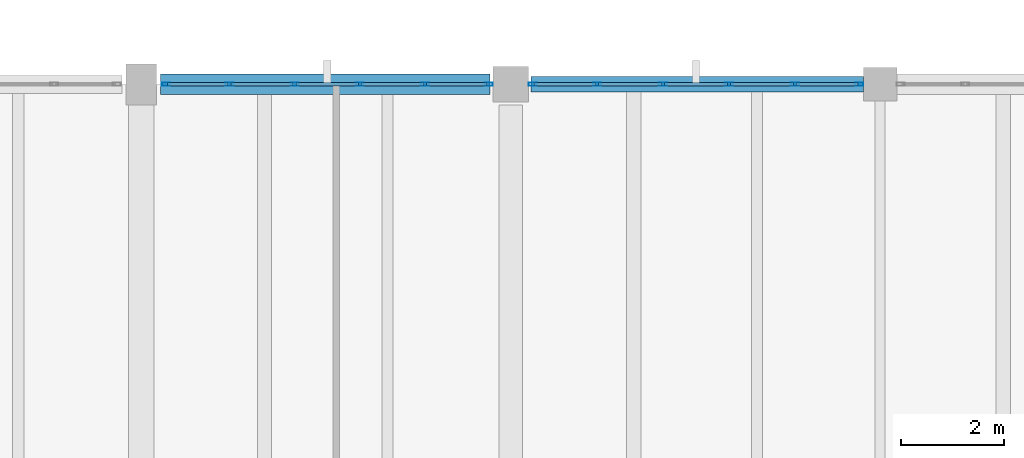
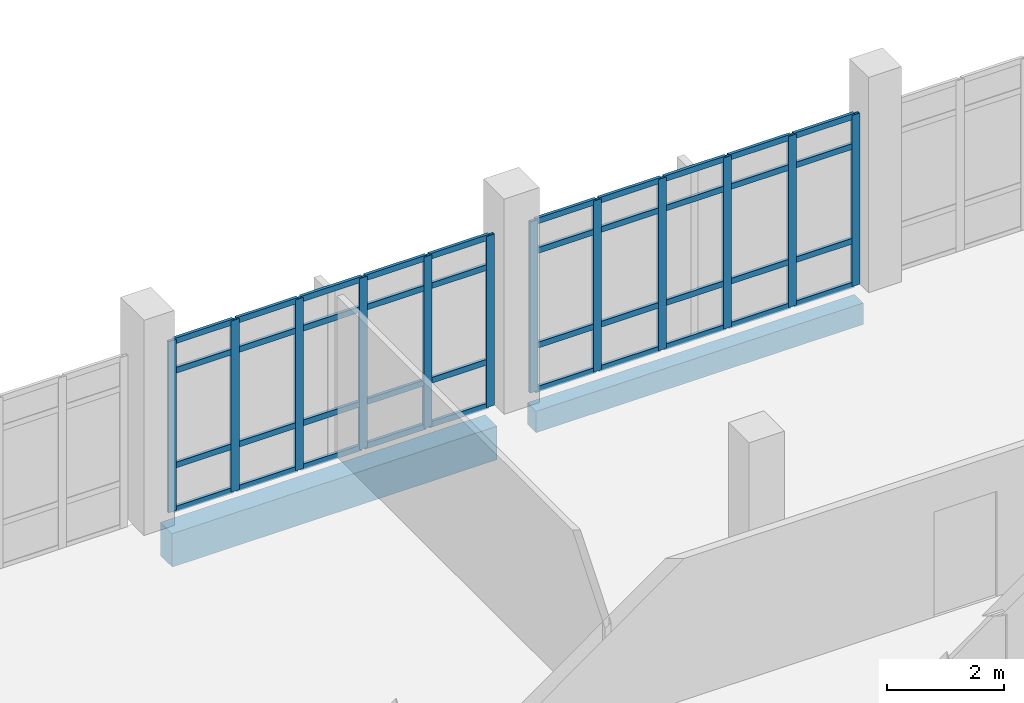
# One storey, part 75 of 116: 52 members, 2 beams, 2 elements without a shape of their own.
"""IFC4 building model written with IfcOpenShell, lengths in metres."""

from ifc_helpers import new_model, si_unit, direction, frame, origin, origin_2d, place, context, subcontext, project, spatial, rectangle, hollow_rectangle, extrude, material, material_profile, profile_set, type_object, element, aggregate, save


model = new_model("IFC4")

# Units and contexts
model_context = context("Model", 3, precision=1e-05, world=origin(), true_north=direction((0.0, 1.0)))
body_context = subcontext(model_context, "Body", "Model", "MODEL_VIEW")
ifc_project = project(units=[si_unit("LENGTHUNIT", "METRE"), si_unit("AREAUNIT", "SQUARE_METRE"), si_unit("VOLUMEUNIT", "CUBIC_METRE"), si_unit("PLANEANGLEUNIT", "RADIAN"), si_unit("MASSUNIT", "GRAM", prefix="KILO")], contexts=[model_context])

# Site, building, storey
site_placement = place(None, origin())
site = spatial("IfcSite", under=ifc_project, at=site_placement, CompositionType="ELEMENT")
building_placement = place(site_placement, origin())
building = spatial("IfcBuilding", under=site, at=building_placement, Name="Kalluvel Institute of Natural Sciences", CompositionType="ELEMENT")
storey_placement = place(building_placement, frame((0.0, 0.0, 14.39990234375)))
storey = spatial("IfcBuildingStorey", under=building, at=storey_placement, Name="L03", CompositionType="ELEMENT", Elevation=14.39990234375)

# Curtain wall, members
ifc_material_1 = material(Name="Aluminium AW-6063 T6", Category="aluminium")
curtain_wall_type = type_object("IfcCurtainWallType", Name="CW-WET-45", PredefinedType="USERDEFINED", material=ifc_material_1)
curtain_wall_1_placement = place(storey_placement, origin())
curtain_wall_1 = element("IfcCurtainWall", 1, at=curtain_wall_1_placement, inside=storey, type_object=curtain_wall_type, Name="L03 Gothic lancet curtain wall CWA-L03-X936-Y1280", ObjectType="UNITISED LANCET FACADE", PredefinedType="USERDEFINED")
ifc_material_profile_1 = material_profile(ifc_material_1, hollow_rectangle(XDim=0.06005859375, YDim=0.159912109375, WallThickness=0.00390625, at=origin_2d()), Name="CWM 60x160")
ifc_profile_set_1 = profile_set([ifc_material_profile_1], Name="Aluminium AW-6063 T6")
member_type_1 = type_object("IfcMemberType", Name="CWM-60x160", PredefinedType="MULLION", material=ifc_profile_set_1)
member_1_placement = place(storey_placement, frame((93.679931640625, 128.0, 0.0), z_axis=(0.0, 0.0, 1.0), x_axis=(0.0, 1.0, 0.0)))
member_1 = element("IfcMember", 2, at=member_1_placement, type_object=member_type_1, Name="CW-01 mullion 1", PredefinedType="MULLION", context=body_context, shape_type="SweptSolid", body=[
    extrude(hollow_rectangle(XDim=0.06005859375, YDim=0.159912109375, WallThickness=0.00390625, at=origin_2d()), origin(), (0.0, 0.0, 1.0), 3.580078125),
])
member_2_placement = place(storey_placement, frame((94.919921875, 128.0, 0.0), z_axis=(0.0, 0.0, 1.0), x_axis=(0.0, 1.0, 0.0)))
member_2 = element("IfcMember", 3, at=member_2_placement, type_object=member_type_1, Name="CW-01 mullion 2", PredefinedType="MULLION", context=body_context, shape_type="SweptSolid", body=[
    extrude(hollow_rectangle(XDim=0.06005859375, YDim=0.159912109375, WallThickness=0.00390625, at=origin_2d()), origin(), (0.0, 0.0, 1.0), 3.580078125),
])
member_3_placement = place(storey_placement, frame((96.18994140625, 128.0, 0.0), z_axis=(0.0, 0.0, 1.0), x_axis=(0.0, 1.0, 0.0)))
member_3 = element("IfcMember", 4, at=member_3_placement, type_object=member_type_1, Name="CW-01 mullion 3", PredefinedType="MULLION", context=body_context, shape_type="SweptSolid", body=[
    extrude(hollow_rectangle(XDim=0.06005859375, YDim=0.159912109375, WallThickness=0.00390625, at=origin_2d()), origin(), (0.0, 0.0, 1.0), 3.580078125),
])
member_4_placement = place(storey_placement, frame((97.4599609375, 128.0, 0.0), z_axis=(0.0, 0.0, 1.0), x_axis=(0.0, 1.0, 0.0)))
member_4 = element("IfcMember", 5, at=member_4_placement, type_object=member_type_1, Name="CW-01 mullion 4", PredefinedType="MULLION", context=body_context, shape_type="SweptSolid", body=[
    extrude(hollow_rectangle(XDim=0.06005859375, YDim=0.159912109375, WallThickness=0.00390625, at=origin_2d()), origin(), (0.0, 0.0, 1.0), 3.580078125),
])
member_5_placement = place(storey_placement, frame((98.72998046875, 128.0, 0.0), z_axis=(0.0, 0.0, 1.0), x_axis=(0.0, 1.0, 0.0)))
member_5 = element("IfcMember", 6, at=member_5_placement, type_object=member_type_1, Name="CW-01 mullion 5", PredefinedType="MULLION", context=body_context, shape_type="SweptSolid", body=[
    extrude(hollow_rectangle(XDim=0.06005859375, YDim=0.159912109375, WallThickness=0.00390625, at=origin_2d()), origin(), (0.0, 0.0, 1.0), 3.580078125),
])
member_6_placement = place(storey_placement, frame((99.969970703125, 128.0, 0.0), z_axis=(0.0, 0.0, 1.0), x_axis=(0.0, 1.0, 0.0)))
member_6 = element("IfcMember", 7, at=member_6_placement, type_object=member_type_1, Name="CW-01 mullion 6", PredefinedType="MULLION", context=body_context, shape_type="SweptSolid", body=[
    extrude(hollow_rectangle(XDim=0.06005859375, YDim=0.159912109375, WallThickness=0.00390625, at=origin_2d()), origin(), (0.0, 0.0, 1.0), 3.580078125),
])

curtain_wall_2_placement = place(storey_placement, origin())
curtain_wall_2 = element("IfcCurtainWall", 8, at=curtain_wall_2_placement, inside=storey, type_object=curtain_wall_type, Name="L03 Gothic lancet curtain wall CWA-L03-X1008-Y1280", ObjectType="UNITISED LANCET FACADE", PredefinedType="USERDEFINED")
member_7_placement = place(storey_placement, frame((100.830078125, 128.0, 0.0), z_axis=(0.0, 0.0, 1.0), x_axis=(0.0, 1.0, 0.0)))
member_7 = element("IfcMember", 9, at=member_7_placement, type_object=member_type_1, Name="CW-01 mullion 1", PredefinedType="MULLION", context=body_context, shape_type="SweptSolid", body=[
    extrude(hollow_rectangle(XDim=0.06005859375, YDim=0.159912109375, WallThickness=0.00390625, at=origin_2d()), origin(), (0.0, 0.0, 1.0), 3.580078125),
])
member_8_placement = place(storey_placement, frame((102.0849609375, 128.0, 0.0), z_axis=(0.0, 0.0, 1.0), x_axis=(0.0, 1.0, 0.0)))
member_8 = element("IfcMember", 10, at=member_8_placement, type_object=member_type_1, Name="CW-01 mullion 2", PredefinedType="MULLION", context=body_context, shape_type="SweptSolid", body=[
    extrude(hollow_rectangle(XDim=0.06005859375, YDim=0.159912109375, WallThickness=0.00390625, at=origin_2d()), origin(), (0.0, 0.0, 1.0), 3.580078125),
])
member_9_placement = place(storey_placement, frame((103.3701171875, 128.0, 0.0), z_axis=(0.0, 0.0, 1.0), x_axis=(0.0, 1.0, 0.0)))
member_9 = element("IfcMember", 11, at=member_9_placement, type_object=member_type_1, Name="CW-01 mullion 3", PredefinedType="MULLION", context=body_context, shape_type="SweptSolid", body=[
    extrude(hollow_rectangle(XDim=0.06005859375, YDim=0.159912109375, WallThickness=0.00390625, at=origin_2d()), origin(), (0.0, 0.0, 1.0), 3.580078125),
])
member_10_placement = place(storey_placement, frame((104.655029296875, 128.0, 0.0), z_axis=(0.0, 0.0, 1.0), x_axis=(0.0, 1.0, 0.0)))
member_10 = element("IfcMember", 12, at=member_10_placement, type_object=member_type_1, Name="CW-01 mullion 4", PredefinedType="MULLION", context=body_context, shape_type="SweptSolid", body=[
    extrude(hollow_rectangle(XDim=0.06005859375, YDim=0.159912109375, WallThickness=0.00390625, at=origin_2d()), origin(), (0.0, 0.0, 1.0), 3.580078125),
])
member_11_placement = place(storey_placement, frame((105.93994140625, 128.0, 0.0), z_axis=(0.0, 0.0, 1.0), x_axis=(0.0, 1.0, 0.0)))
member_11 = element("IfcMember", 13, at=member_11_placement, type_object=member_type_1, Name="CW-01 mullion 5", PredefinedType="MULLION", context=body_context, shape_type="SweptSolid", body=[
    extrude(hollow_rectangle(XDim=0.06005859375, YDim=0.159912109375, WallThickness=0.00390625, at=origin_2d()), origin(), (0.0, 0.0, 1.0), 3.580078125),
])
member_12_placement = place(storey_placement, frame((107.195068359375, 128.0, 0.0), z_axis=(0.0, 0.0, 1.0), x_axis=(0.0, 1.0, 0.0)))
member_12 = element("IfcMember", 14, at=member_12_placement, type_object=member_type_1, Name="CW-01 mullion 6", PredefinedType="MULLION", context=body_context, shape_type="SweptSolid", body=[
    extrude(hollow_rectangle(XDim=0.06005859375, YDim=0.159912109375, WallThickness=0.00390625, at=origin_2d()), origin(), (0.0, 0.0, 1.0), 3.580078125),
])

# Member
ifc_material_profile_2 = material_profile(ifc_material_1, hollow_rectangle(XDim=0.06005859375, YDim=0.1201171875, WallThickness=0.00390625, at=origin_2d()), Name="CWT 60x120")
ifc_profile_set_2 = profile_set([ifc_material_profile_2], Name="Aluminium AW-6063 T6")
member_type_2 = type_object("IfcMemberType", Name="CWT-60x120", PredefinedType="USERDEFINED", material=ifc_profile_set_2)
member_13_placement = place(storey_placement, frame((93.7099609375, 128.0, 0.030029296875), z_axis=(1.0, 0.0, 0.0), x_axis=(0.0, 1.0, 0.0)))
member_13 = element("IfcMember", 15, at=member_13_placement, type_object=member_type_2, Name="CW-01 transom 1.1", ObjectType="TRANSOM", PredefinedType="USERDEFINED", context=body_context, shape_type="SweptSolid", body=[
    extrude(hollow_rectangle(XDim=0.06005859375, YDim=0.1201171875, WallThickness=0.00390625, at=origin_2d()), origin(), (0.0, 0.0, 1.0), 1.179931640625),
])

member_14_placement = place(storey_placement, frame((93.7099609375, 128.0, 0.9501953125), z_axis=(1.0, 0.0, 0.0), x_axis=(0.0, 1.0, 0.0)))
member_14 = element("IfcMember", 16, at=member_14_placement, type_object=member_type_2, Name="CW-01 transom 1.2", ObjectType="TRANSOM", PredefinedType="USERDEFINED", context=body_context, shape_type="SweptSolid", body=[
    extrude(hollow_rectangle(XDim=0.06005859375, YDim=0.1201171875, WallThickness=0.00390625, at=origin_2d()), origin(), (0.0, 0.0, 1.0), 1.179931640625),
])

member_15_placement = place(storey_placement, frame((93.7099609375, 128.0, 2.93017578125), z_axis=(1.0, 0.0, 0.0), x_axis=(0.0, 1.0, 0.0)))
member_15 = element("IfcMember", 17, at=member_15_placement, type_object=member_type_2, Name="CW-01 transom 1.3", ObjectType="TRANSOM", PredefinedType="USERDEFINED", context=body_context, shape_type="SweptSolid", body=[
    extrude(hollow_rectangle(XDim=0.06005859375, YDim=0.1201171875, WallThickness=0.00390625, at=origin_2d()), origin(), (0.0, 0.0, 1.0), 1.179931640625),
])

member_16_placement = place(storey_placement, frame((93.7099609375, 128.0, 3.550048828125), z_axis=(1.0, 0.0, 0.0), x_axis=(0.0, 1.0, 0.0)))
member_16 = element("IfcMember", 18, at=member_16_placement, type_object=member_type_2, Name="CW-01 transom 1.4", ObjectType="TRANSOM", PredefinedType="USERDEFINED", context=body_context, shape_type="SweptSolid", body=[
    extrude(hollow_rectangle(XDim=0.06005859375, YDim=0.1201171875, WallThickness=0.00390625, at=origin_2d()), origin(), (0.0, 0.0, 1.0), 1.179931640625),
])

member_17_placement = place(storey_placement, frame((94.949951171875, 128.0, 0.030029296875), z_axis=(1.0, 0.0, 0.0), x_axis=(0.0, 1.0, 0.0)))
member_17 = element("IfcMember", 19, at=member_17_placement, type_object=member_type_2, Name="CW-01 transom 2.1", ObjectType="TRANSOM", PredefinedType="USERDEFINED", context=body_context, shape_type="SweptSolid", body=[
    extrude(hollow_rectangle(XDim=0.06005859375, YDim=0.1201171875, WallThickness=0.00390625, at=origin_2d()), origin(), (0.0, 0.0, 1.0), 1.2099609375),
])

member_18_placement = place(storey_placement, frame((94.949951171875, 128.0, 0.9501953125), z_axis=(1.0, 0.0, 0.0), x_axis=(0.0, 1.0, 0.0)))
member_18 = element("IfcMember", 20, at=member_18_placement, type_object=member_type_2, Name="CW-01 transom 2.2", ObjectType="TRANSOM", PredefinedType="USERDEFINED", context=body_context, shape_type="SweptSolid", body=[
    extrude(hollow_rectangle(XDim=0.06005859375, YDim=0.1201171875, WallThickness=0.00390625, at=origin_2d()), origin(), (0.0, 0.0, 1.0), 1.2099609375),
])

member_19_placement = place(storey_placement, frame((94.949951171875, 128.0, 2.93017578125), z_axis=(1.0, 0.0, 0.0), x_axis=(0.0, 1.0, 0.0)))
member_19 = element("IfcMember", 21, at=member_19_placement, type_object=member_type_2, Name="CW-01 transom 2.3", ObjectType="TRANSOM", PredefinedType="USERDEFINED", context=body_context, shape_type="SweptSolid", body=[
    extrude(hollow_rectangle(XDim=0.06005859375, YDim=0.1201171875, WallThickness=0.00390625, at=origin_2d()), origin(), (0.0, 0.0, 1.0), 1.2099609375),
])

member_20_placement = place(storey_placement, frame((94.949951171875, 128.0, 3.550048828125), z_axis=(1.0, 0.0, 0.0), x_axis=(0.0, 1.0, 0.0)))
member_20 = element("IfcMember", 22, at=member_20_placement, type_object=member_type_2, Name="CW-01 transom 2.4", ObjectType="TRANSOM", PredefinedType="USERDEFINED", context=body_context, shape_type="SweptSolid", body=[
    extrude(hollow_rectangle(XDim=0.06005859375, YDim=0.1201171875, WallThickness=0.00390625, at=origin_2d()), origin(), (0.0, 0.0, 1.0), 1.2099609375),
])

member_21_placement = place(storey_placement, frame((96.219970703125, 128.0, 0.030029296875), z_axis=(1.0, 0.0, 0.0), x_axis=(0.0, 1.0, 0.0)))
member_21 = element("IfcMember", 23, at=member_21_placement, type_object=member_type_2, Name="CW-01 transom 3.1", ObjectType="TRANSOM", PredefinedType="USERDEFINED", context=body_context, shape_type="SweptSolid", body=[
    extrude(hollow_rectangle(XDim=0.06005859375, YDim=0.1201171875, WallThickness=0.00390625, at=origin_2d()), origin(), (0.0, 0.0, 1.0), 1.2099609375),
])

member_22_placement = place(storey_placement, frame((96.219970703125, 128.0, 0.9501953125), z_axis=(1.0, 0.0, 0.0), x_axis=(0.0, 1.0, 0.0)))
member_22 = element("IfcMember", 24, at=member_22_placement, type_object=member_type_2, Name="CW-01 transom 3.2", ObjectType="TRANSOM", PredefinedType="USERDEFINED", context=body_context, shape_type="SweptSolid", body=[
    extrude(hollow_rectangle(XDim=0.06005859375, YDim=0.1201171875, WallThickness=0.00390625, at=origin_2d()), origin(), (0.0, 0.0, 1.0), 1.2099609375),
])

member_23_placement = place(storey_placement, frame((96.219970703125, 128.0, 2.93017578125), z_axis=(1.0, 0.0, 0.0), x_axis=(0.0, 1.0, 0.0)))
member_23 = element("IfcMember", 25, at=member_23_placement, type_object=member_type_2, Name="CW-01 transom 3.3", ObjectType="TRANSOM", PredefinedType="USERDEFINED", context=body_context, shape_type="SweptSolid", body=[
    extrude(hollow_rectangle(XDim=0.06005859375, YDim=0.1201171875, WallThickness=0.00390625, at=origin_2d()), origin(), (0.0, 0.0, 1.0), 1.2099609375),
])

member_24_placement = place(storey_placement, frame((96.219970703125, 128.0, 3.550048828125), z_axis=(1.0, 0.0, 0.0), x_axis=(0.0, 1.0, 0.0)))
member_24 = element("IfcMember", 26, at=member_24_placement, type_object=member_type_2, Name="CW-01 transom 3.4", ObjectType="TRANSOM", PredefinedType="USERDEFINED", context=body_context, shape_type="SweptSolid", body=[
    extrude(hollow_rectangle(XDim=0.06005859375, YDim=0.1201171875, WallThickness=0.00390625, at=origin_2d()), origin(), (0.0, 0.0, 1.0), 1.2099609375),
])

member_25_placement = place(storey_placement, frame((97.489990234375, 128.0, 0.030029296875), z_axis=(1.0, 0.0, 0.0), x_axis=(0.0, 1.0, 0.0)))
member_25 = element("IfcMember", 27, at=member_25_placement, type_object=member_type_2, Name="CW-01 transom 4.1", ObjectType="TRANSOM", PredefinedType="USERDEFINED", context=body_context, shape_type="SweptSolid", body=[
    extrude(hollow_rectangle(XDim=0.06005859375, YDim=0.1201171875, WallThickness=0.00390625, at=origin_2d()), origin(), (0.0, 0.0, 1.0), 1.2099609375),
])

member_26_placement = place(storey_placement, frame((97.489990234375, 128.0, 0.9501953125), z_axis=(1.0, 0.0, 0.0), x_axis=(0.0, 1.0, 0.0)))
member_26 = element("IfcMember", 28, at=member_26_placement, type_object=member_type_2, Name="CW-01 transom 4.2", ObjectType="TRANSOM", PredefinedType="USERDEFINED", context=body_context, shape_type="SweptSolid", body=[
    extrude(hollow_rectangle(XDim=0.06005859375, YDim=0.1201171875, WallThickness=0.00390625, at=origin_2d()), origin(), (0.0, 0.0, 1.0), 1.2099609375),
])

member_27_placement = place(storey_placement, frame((97.489990234375, 128.0, 2.93017578125), z_axis=(1.0, 0.0, 0.0), x_axis=(0.0, 1.0, 0.0)))
member_27 = element("IfcMember", 29, at=member_27_placement, type_object=member_type_2, Name="CW-01 transom 4.3", ObjectType="TRANSOM", PredefinedType="USERDEFINED", context=body_context, shape_type="SweptSolid", body=[
    extrude(hollow_rectangle(XDim=0.06005859375, YDim=0.1201171875, WallThickness=0.00390625, at=origin_2d()), origin(), (0.0, 0.0, 1.0), 1.2099609375),
])

member_28_placement = place(storey_placement, frame((97.489990234375, 128.0, 3.550048828125), z_axis=(1.0, 0.0, 0.0), x_axis=(0.0, 1.0, 0.0)))
member_28 = element("IfcMember", 30, at=member_28_placement, type_object=member_type_2, Name="CW-01 transom 4.4", ObjectType="TRANSOM", PredefinedType="USERDEFINED", context=body_context, shape_type="SweptSolid", body=[
    extrude(hollow_rectangle(XDim=0.06005859375, YDim=0.1201171875, WallThickness=0.00390625, at=origin_2d()), origin(), (0.0, 0.0, 1.0), 1.2099609375),
])

member_29_placement = place(storey_placement, frame((98.760009765625, 128.0, 0.030029296875), z_axis=(1.0, 0.0, 0.0), x_axis=(0.0, 1.0, 0.0)))
member_29 = element("IfcMember", 31, at=member_29_placement, type_object=member_type_2, Name="CW-01 transom 5.1", ObjectType="TRANSOM", PredefinedType="USERDEFINED", context=body_context, shape_type="SweptSolid", body=[
    extrude(hollow_rectangle(XDim=0.06005859375, YDim=0.1201171875, WallThickness=0.00390625, at=origin_2d()), origin(), (0.0, 0.0, 1.0), 1.179931640625),
])

member_30_placement = place(storey_placement, frame((98.760009765625, 128.0, 0.9501953125), z_axis=(1.0, 0.0, 0.0), x_axis=(0.0, 1.0, 0.0)))
member_30 = element("IfcMember", 32, at=member_30_placement, type_object=member_type_2, Name="CW-01 transom 5.2", ObjectType="TRANSOM", PredefinedType="USERDEFINED", context=body_context, shape_type="SweptSolid", body=[
    extrude(hollow_rectangle(XDim=0.06005859375, YDim=0.1201171875, WallThickness=0.00390625, at=origin_2d()), origin(), (0.0, 0.0, 1.0), 1.179931640625),
])

member_31_placement = place(storey_placement, frame((98.760009765625, 128.0, 2.93017578125), z_axis=(1.0, 0.0, 0.0), x_axis=(0.0, 1.0, 0.0)))
member_31 = element("IfcMember", 33, at=member_31_placement, type_object=member_type_2, Name="CW-01 transom 5.3", ObjectType="TRANSOM", PredefinedType="USERDEFINED", context=body_context, shape_type="SweptSolid", body=[
    extrude(hollow_rectangle(XDim=0.06005859375, YDim=0.1201171875, WallThickness=0.00390625, at=origin_2d()), origin(), (0.0, 0.0, 1.0), 1.179931640625),
])

member_32_placement = place(storey_placement, frame((98.760009765625, 128.0, 3.550048828125), z_axis=(1.0, 0.0, 0.0), x_axis=(0.0, 1.0, 0.0)))
member_32 = element("IfcMember", 34, at=member_32_placement, type_object=member_type_2, Name="CW-01 transom 5.4", ObjectType="TRANSOM", PredefinedType="USERDEFINED", context=body_context, shape_type="SweptSolid", body=[
    extrude(hollow_rectangle(XDim=0.06005859375, YDim=0.1201171875, WallThickness=0.00390625, at=origin_2d()), origin(), (0.0, 0.0, 1.0), 1.179931640625),
])

aggregate(curtain_wall_1, [member_1, member_2, member_3, member_4, member_5, member_6, member_13, member_14, member_15, member_16, member_17, member_18, member_19, member_20, member_21, member_22, member_23, member_24, member_25, member_26, member_27, member_28, member_29, member_30, member_31, member_32])

member_33_placement = place(storey_placement, frame((100.860107421875, 128.0, 0.030029296875), z_axis=(1.0, 0.0, 0.0), x_axis=(0.0, 1.0, 0.0)))
member_33 = element("IfcMember", 35, at=member_33_placement, type_object=member_type_2, Name="CW-01 transom 1.1", ObjectType="TRANSOM", PredefinedType="USERDEFINED", context=body_context, shape_type="SweptSolid", body=[
    extrude(hollow_rectangle(XDim=0.06005859375, YDim=0.1201171875, WallThickness=0.00390625, at=origin_2d()), origin(), (0.0, 0.0, 1.0), 1.19482421875),
])

member_34_placement = place(storey_placement, frame((100.860107421875, 128.0, 0.9501953125), z_axis=(1.0, 0.0, 0.0), x_axis=(0.0, 1.0, 0.0)))
member_34 = element("IfcMember", 36, at=member_34_placement, type_object=member_type_2, Name="CW-01 transom 1.2", ObjectType="TRANSOM", PredefinedType="USERDEFINED", context=body_context, shape_type="SweptSolid", body=[
    extrude(hollow_rectangle(XDim=0.06005859375, YDim=0.1201171875, WallThickness=0.00390625, at=origin_2d()), origin(), (0.0, 0.0, 1.0), 1.19482421875),
])

member_35_placement = place(storey_placement, frame((100.860107421875, 128.0, 2.93017578125), z_axis=(1.0, 0.0, 0.0), x_axis=(0.0, 1.0, 0.0)))
member_35 = element("IfcMember", 37, at=member_35_placement, type_object=member_type_2, Name="CW-01 transom 1.3", ObjectType="TRANSOM", PredefinedType="USERDEFINED", context=body_context, shape_type="SweptSolid", body=[
    extrude(hollow_rectangle(XDim=0.06005859375, YDim=0.1201171875, WallThickness=0.00390625, at=origin_2d()), origin(), (0.0, 0.0, 1.0), 1.19482421875),
])

member_36_placement = place(storey_placement, frame((100.860107421875, 128.0, 3.550048828125), z_axis=(1.0, 0.0, 0.0), x_axis=(0.0, 1.0, 0.0)))
member_36 = element("IfcMember", 38, at=member_36_placement, type_object=member_type_2, Name="CW-01 transom 1.4", ObjectType="TRANSOM", PredefinedType="USERDEFINED", context=body_context, shape_type="SweptSolid", body=[
    extrude(hollow_rectangle(XDim=0.06005859375, YDim=0.1201171875, WallThickness=0.00390625, at=origin_2d()), origin(), (0.0, 0.0, 1.0), 1.19482421875),
])

member_37_placement = place(storey_placement, frame((102.114990234375, 128.0, 0.030029296875), z_axis=(1.0, 0.0, 0.0), x_axis=(0.0, 1.0, 0.0)))
member_37 = element("IfcMember", 39, at=member_37_placement, type_object=member_type_2, Name="CW-01 transom 2.1", ObjectType="TRANSOM", PredefinedType="USERDEFINED", context=body_context, shape_type="SweptSolid", body=[
    extrude(hollow_rectangle(XDim=0.06005859375, YDim=0.1201171875, WallThickness=0.00390625, at=origin_2d()), origin(), (0.0, 0.0, 1.0), 1.22509765625),
])

member_38_placement = place(storey_placement, frame((102.114990234375, 128.0, 0.9501953125), z_axis=(1.0, 0.0, 0.0), x_axis=(0.0, 1.0, 0.0)))
member_38 = element("IfcMember", 40, at=member_38_placement, type_object=member_type_2, Name="CW-01 transom 2.2", ObjectType="TRANSOM", PredefinedType="USERDEFINED", context=body_context, shape_type="SweptSolid", body=[
    extrude(hollow_rectangle(XDim=0.06005859375, YDim=0.1201171875, WallThickness=0.00390625, at=origin_2d()), origin(), (0.0, 0.0, 1.0), 1.22509765625),
])

member_39_placement = place(storey_placement, frame((102.114990234375, 128.0, 2.93017578125), z_axis=(1.0, 0.0, 0.0), x_axis=(0.0, 1.0, 0.0)))
member_39 = element("IfcMember", 41, at=member_39_placement, type_object=member_type_2, Name="CW-01 transom 2.3", ObjectType="TRANSOM", PredefinedType="USERDEFINED", context=body_context, shape_type="SweptSolid", body=[
    extrude(hollow_rectangle(XDim=0.06005859375, YDim=0.1201171875, WallThickness=0.00390625, at=origin_2d()), origin(), (0.0, 0.0, 1.0), 1.22509765625),
])

member_40_placement = place(storey_placement, frame((102.114990234375, 128.0, 3.550048828125), z_axis=(1.0, 0.0, 0.0), x_axis=(0.0, 1.0, 0.0)))
member_40 = element("IfcMember", 42, at=member_40_placement, type_object=member_type_2, Name="CW-01 transom 2.4", ObjectType="TRANSOM", PredefinedType="USERDEFINED", context=body_context, shape_type="SweptSolid", body=[
    extrude(hollow_rectangle(XDim=0.06005859375, YDim=0.1201171875, WallThickness=0.00390625, at=origin_2d()), origin(), (0.0, 0.0, 1.0), 1.22509765625),
])

member_41_placement = place(storey_placement, frame((103.39990234375, 128.0, 0.030029296875), z_axis=(1.0, 0.0, 0.0), x_axis=(0.0, 1.0, 0.0)))
member_41 = element("IfcMember", 43, at=member_41_placement, type_object=member_type_2, Name="CW-01 transom 3.1", ObjectType="TRANSOM", PredefinedType="USERDEFINED", context=body_context, shape_type="SweptSolid", body=[
    extrude(hollow_rectangle(XDim=0.06005859375, YDim=0.1201171875, WallThickness=0.00390625, at=origin_2d()), origin(), (0.0, 0.0, 1.0), 1.22509765625),
])

member_42_placement = place(storey_placement, frame((103.39990234375, 128.0, 0.9501953125), z_axis=(1.0, 0.0, 0.0), x_axis=(0.0, 1.0, 0.0)))
member_42 = element("IfcMember", 44, at=member_42_placement, type_object=member_type_2, Name="CW-01 transom 3.2", ObjectType="TRANSOM", PredefinedType="USERDEFINED", context=body_context, shape_type="SweptSolid", body=[
    extrude(hollow_rectangle(XDim=0.06005859375, YDim=0.1201171875, WallThickness=0.00390625, at=origin_2d()), origin(), (0.0, 0.0, 1.0), 1.22509765625),
])

member_43_placement = place(storey_placement, frame((103.39990234375, 128.0, 2.93017578125), z_axis=(1.0, 0.0, 0.0), x_axis=(0.0, 1.0, 0.0)))
member_43 = element("IfcMember", 45, at=member_43_placement, type_object=member_type_2, Name="CW-01 transom 3.3", ObjectType="TRANSOM", PredefinedType="USERDEFINED", context=body_context, shape_type="SweptSolid", body=[
    extrude(hollow_rectangle(XDim=0.06005859375, YDim=0.1201171875, WallThickness=0.00390625, at=origin_2d()), origin(), (0.0, 0.0, 1.0), 1.22509765625),
])

member_44_placement = place(storey_placement, frame((103.39990234375, 128.0, 3.550048828125), z_axis=(1.0, 0.0, 0.0), x_axis=(0.0, 1.0, 0.0)))
member_44 = element("IfcMember", 46, at=member_44_placement, type_object=member_type_2, Name="CW-01 transom 3.4", ObjectType="TRANSOM", PredefinedType="USERDEFINED", context=body_context, shape_type="SweptSolid", body=[
    extrude(hollow_rectangle(XDim=0.06005859375, YDim=0.1201171875, WallThickness=0.00390625, at=origin_2d()), origin(), (0.0, 0.0, 1.0), 1.22509765625),
])

member_45_placement = place(storey_placement, frame((104.68505859375, 128.0, 0.030029296875), z_axis=(1.0, 0.0, 0.0), x_axis=(0.0, 1.0, 0.0)))
member_45 = element("IfcMember", 47, at=member_45_placement, type_object=member_type_2, Name="CW-01 transom 4.1", ObjectType="TRANSOM", PredefinedType="USERDEFINED", context=body_context, shape_type="SweptSolid", body=[
    extrude(hollow_rectangle(XDim=0.06005859375, YDim=0.1201171875, WallThickness=0.00390625, at=origin_2d()), origin(), (0.0, 0.0, 1.0), 1.224853515625),
])

member_46_placement = place(storey_placement, frame((104.68505859375, 128.0, 0.9501953125), z_axis=(1.0, 0.0, 0.0), x_axis=(0.0, 1.0, 0.0)))
member_46 = element("IfcMember", 48, at=member_46_placement, type_object=member_type_2, Name="CW-01 transom 4.2", ObjectType="TRANSOM", PredefinedType="USERDEFINED", context=body_context, shape_type="SweptSolid", body=[
    extrude(hollow_rectangle(XDim=0.06005859375, YDim=0.1201171875, WallThickness=0.00390625, at=origin_2d()), origin(), (0.0, 0.0, 1.0), 1.224853515625),
])

member_47_placement = place(storey_placement, frame((104.68505859375, 128.0, 2.93017578125), z_axis=(1.0, 0.0, 0.0), x_axis=(0.0, 1.0, 0.0)))
member_47 = element("IfcMember", 49, at=member_47_placement, type_object=member_type_2, Name="CW-01 transom 4.3", ObjectType="TRANSOM", PredefinedType="USERDEFINED", context=body_context, shape_type="SweptSolid", body=[
    extrude(hollow_rectangle(XDim=0.06005859375, YDim=0.1201171875, WallThickness=0.00390625, at=origin_2d()), origin(), (0.0, 0.0, 1.0), 1.224853515625),
])

member_48_placement = place(storey_placement, frame((104.68505859375, 128.0, 3.550048828125), z_axis=(1.0, 0.0, 0.0), x_axis=(0.0, 1.0, 0.0)))
member_48 = element("IfcMember", 50, at=member_48_placement, type_object=member_type_2, Name="CW-01 transom 4.4", ObjectType="TRANSOM", PredefinedType="USERDEFINED", context=body_context, shape_type="SweptSolid", body=[
    extrude(hollow_rectangle(XDim=0.06005859375, YDim=0.1201171875, WallThickness=0.00390625, at=origin_2d()), origin(), (0.0, 0.0, 1.0), 1.224853515625),
])

member_49_placement = place(storey_placement, frame((105.969970703125, 128.0, 0.030029296875), z_axis=(1.0, 0.0, 0.0), x_axis=(0.0, 1.0, 0.0)))
member_49 = element("IfcMember", 51, at=member_49_placement, type_object=member_type_2, Name="CW-01 transom 5.1", ObjectType="TRANSOM", PredefinedType="USERDEFINED", context=body_context, shape_type="SweptSolid", body=[
    extrude(hollow_rectangle(XDim=0.06005859375, YDim=0.1201171875, WallThickness=0.00390625, at=origin_2d()), origin(), (0.0, 0.0, 1.0), 1.195068359375),
])

member_50_placement = place(storey_placement, frame((105.969970703125, 128.0, 0.9501953125), z_axis=(1.0, 0.0, 0.0), x_axis=(0.0, 1.0, 0.0)))
member_50 = element("IfcMember", 52, at=member_50_placement, type_object=member_type_2, Name="CW-01 transom 5.2", ObjectType="TRANSOM", PredefinedType="USERDEFINED", context=body_context, shape_type="SweptSolid", body=[
    extrude(hollow_rectangle(XDim=0.06005859375, YDim=0.1201171875, WallThickness=0.00390625, at=origin_2d()), origin(), (0.0, 0.0, 1.0), 1.195068359375),
])

member_51_placement = place(storey_placement, frame((105.969970703125, 128.0, 2.93017578125), z_axis=(1.0, 0.0, 0.0), x_axis=(0.0, 1.0, 0.0)))
member_51 = element("IfcMember", 53, at=member_51_placement, type_object=member_type_2, Name="CW-01 transom 5.3", ObjectType="TRANSOM", PredefinedType="USERDEFINED", context=body_context, shape_type="SweptSolid", body=[
    extrude(hollow_rectangle(XDim=0.06005859375, YDim=0.1201171875, WallThickness=0.00390625, at=origin_2d()), origin(), (0.0, 0.0, 1.0), 1.195068359375),
])

member_52_placement = place(storey_placement, frame((105.969970703125, 128.0, 3.550048828125), z_axis=(1.0, 0.0, 0.0), x_axis=(0.0, 1.0, 0.0)))
member_52 = element("IfcMember", 54, at=member_52_placement, type_object=member_type_2, Name="CW-01 transom 5.4", ObjectType="TRANSOM", PredefinedType="USERDEFINED", context=body_context, shape_type="SweptSolid", body=[
    extrude(hollow_rectangle(XDim=0.06005859375, YDim=0.1201171875, WallThickness=0.00390625, at=origin_2d()), origin(), (0.0, 0.0, 1.0), 1.195068359375),
])

aggregate(curtain_wall_2, [member_7, member_8, member_9, member_10, member_11, member_12, member_33, member_34, member_35, member_36, member_37, member_38, member_39, member_40, member_41, member_42, member_43, member_44, member_45, member_46, member_47, member_48, member_49, member_50, member_51, member_52])

# Beams
ifc_material_2 = material(Name="Concrete M40", Category="concrete")
ifc_material_profile_3 = material_profile(ifc_material_2, rectangle(XDim=0.300048828125, YDim=0.449951171875, at=origin_2d()), Name="RCB 300x450")
ifc_profile_set_3 = profile_set([ifc_material_profile_3], Name="Concrete M40")
beam_type_1 = type_object("IfcBeamType", Name="SP-RC300x450", PredefinedType="SPANDREL", material=ifc_profile_set_3)
beam_1_placement = place(storey_placement, frame((100.800048828125, 128.0, -0.544921875), z_axis=(1.0, 0.0, 0.0), x_axis=(0.0, 1.0, 0.0)))
element("IfcBeam", 55, at=beam_1_placement, inside=storey, type_object=beam_type_1, Name="L03 girder GIR-L03-EW-X1004-Y1280", PredefinedType="SPANDREL", context=body_context, shape_type="SweptSolid", body=[
    extrude(rectangle(XDim=0.300048828125, YDim=0.449951171875, at=origin_2d()), origin(), (0.0, 0.0, 1.0), 6.474853515625),
])
ifc_material_profile_4 = material_profile(ifc_material_2, rectangle(XDim=0.39990234375, YDim=0.699951171875, at=origin_2d()), Name="RCB 400x700")
ifc_profile_set_4 = profile_set([ifc_material_profile_4], Name="Concrete M40")
beam_type_2 = type_object("IfcBeamType", Name="SP-RC400x700", PredefinedType="SPANDREL", material=ifc_profile_set_4)
beam_2_placement = place(storey_placement, frame((93.574951171875, 128.0, -0.669921875), z_axis=(1.0, 0.0, 0.0), x_axis=(0.0, 1.0, 0.0)))
element("IfcBeam", 56, at=beam_2_placement, inside=storey, type_object=beam_type_2, Name="L03 girder GIR-L03-EW-X932-Y1280", PredefinedType="SPANDREL", context=body_context, shape_type="SweptSolid", body=[
    extrude(rectangle(XDim=0.39990234375, YDim=0.699951171875, at=origin_2d()), origin(), (0.0, 0.0, 1.0), 6.425048828125),
])

save(model, "model.ifc")
